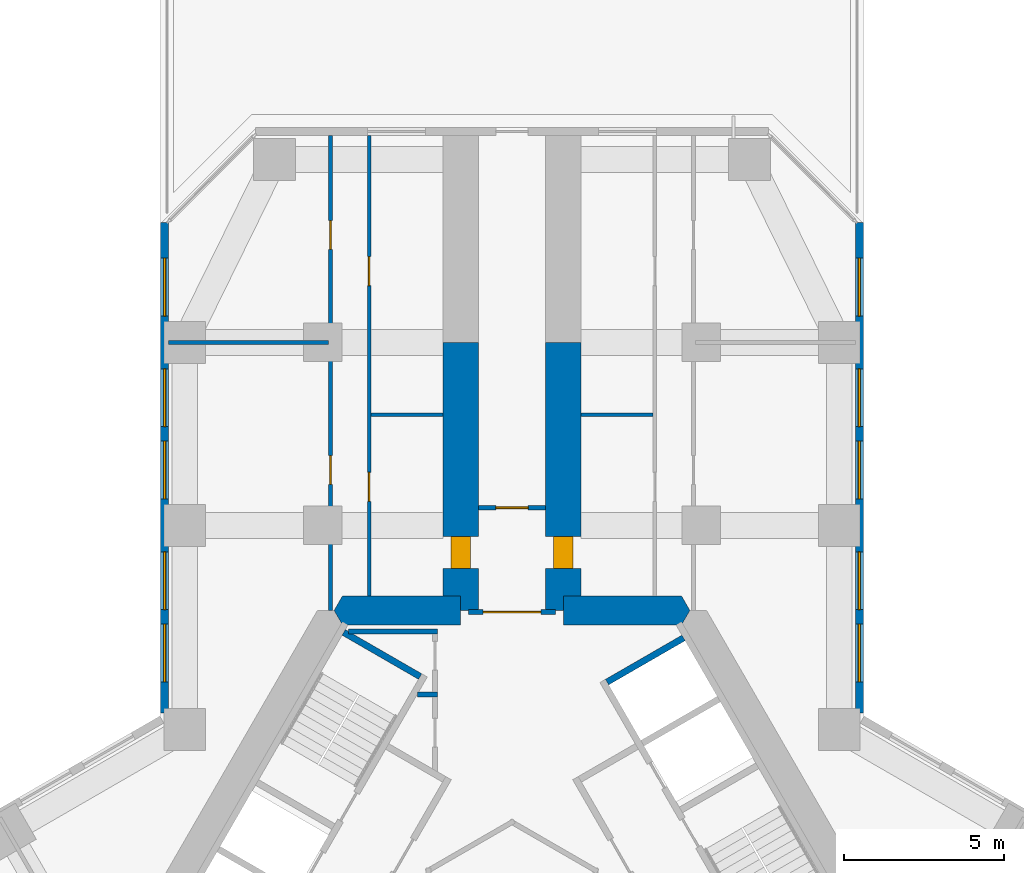
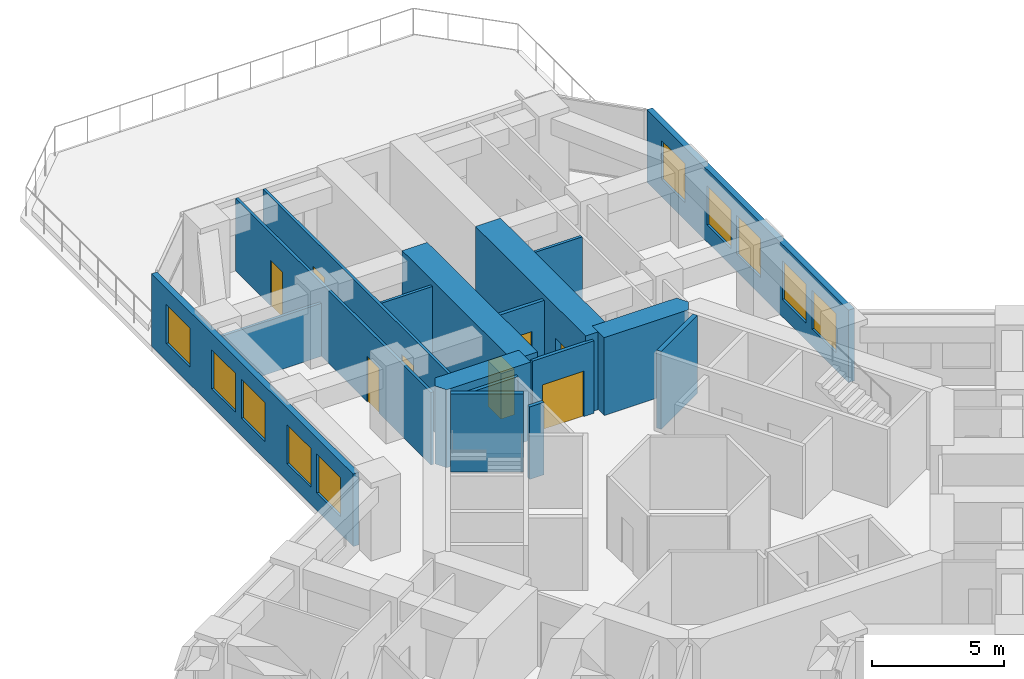
# One storey, part 17 of 19: 17 walls, 10 windows, 8 doors, 18 openings.
"""IFC4 building model written with IfcOpenShell, lengths in metres."""

from ifc_helpers import new_model, si_unit, direction, frame, frame_2d, origin, place, context, subcontext, project, spatial, polyline, rectangle, outline, extrude, material, layer, layer_set, type_object, element, fill, save


model = new_model("IFC4")

# Units and contexts
model_context = context("Model", 3, precision=1e-05, world=origin(), true_north=direction((0.0, 1.0)))
body_context = subcontext(model_context, "Body", "Model", "MODEL_VIEW")
ifc_project = project(units=[si_unit("LENGTHUNIT", "METRE"), si_unit("AREAUNIT", "SQUARE_METRE"), si_unit("VOLUMEUNIT", "CUBIC_METRE"), si_unit("PLANEANGLEUNIT", "RADIAN"), si_unit("MASSUNIT", "GRAM", prefix="KILO")], contexts=[model_context])

# Site, building, storey
site_placement = place(None, origin())
site = spatial("IfcSite", under=ifc_project, at=site_placement, CompositionType="ELEMENT")
building_placement = place(site_placement, origin())
building = spatial("IfcBuilding", under=site, at=building_placement, Name="Kosmar Iwan School Tower", CompositionType="ELEMENT")
storey_placement = place(building_placement, frame((0.0, 0.0, 120.199951171875)))
storey = spatial("IfcBuildingStorey", under=building, at=storey_placement, Name="L29", CompositionType="ELEMENT", Elevation=120.199951171875)

# Walls
ifc_material_1 = material(Name="Gypsum board on steel studs, fire-rated", Category="steel")
ifc_layer_1 = layer(ifc_material_1, 0.14990234375)
ifc_layer_set_1 = layer_set([ifc_layer_1], Name="Core room partition 150")
wall_type_1 = type_object("IfcWallType", Name="Core room partition 150", PredefinedType="PARTITIONING", material=ifc_layer_set_1)
wall_1_placement = place(storey_placement, frame((-2.324951171875, 6.985107421875, 0.0), z_axis=(0.0, 0.0, 1.0), x_axis=(-1.0, 0.0, 0.0)))
element("IfcWall", 1, at=wall_1_placement, inside=storey, type_object=wall_type_1, Name="Core room partition L29-CW2", PredefinedType="PARTITIONING", context=body_context, shape_type="SweptSolid", body=[
    extrude(rectangle(XDim=0.623779296875, YDim=0.14990234375, at=frame_2d((0.31201171875, 0.0))), origin(), (0.0, 0.0, 1.0), 3.35009765625),
])
wall_2_placement = place(storey_placement, frame((-5.089599609375, 8.93994140625, 0.0), z_axis=(0.0, 0.0, 1.0), x_axis=(1.0, 0.0, 0.0)))
element("IfcWall", 2, at=wall_2_placement, inside=storey, type_object=wall_type_1, Name="Core room partition L29-CW3", PredefinedType="PARTITIONING", context=body_context, shape_type="SweptSolid", body=[
    extrude(rectangle(XDim=2.7646484375, YDim=0.14990234375, at=frame_2d((1.38232421875, 0.0))), origin(), (0.0, 0.0, 1.0), 3.35009765625),
])
ifc_material_2 = material(Name="Concrete C50/60", Category="concrete")
ifc_layer_2 = layer(ifc_material_2, 0.89990234375)
ifc_layer_set_2 = layer_set([ifc_layer_2], Name="Core wall 900")
wall_type_2 = type_object("IfcWallType", Name="Core wall 900", PredefinedType="SHEAR", material=ifc_layer_set_2)
wall_3_placement = place(storey_placement, origin())
element("IfcWall", 3, at=wall_3_placement, inside=storey, type_object=wall_type_2, Name="Core wall F090a", PredefinedType="SHEAR", context=body_context, shape_type="SweptSolid", body=[
    extrude(outline(polyline([(1.60009765625, 9.14990234375), (5.28271484375, 9.14990234375), (5.54248046875, 9.60009765625), (5.28271484375, 10.050048828125), (1.60009765625, 10.050048828125), (1.60009765625, 9.14990234375)])), origin(), (0.0, 0.0, 1.0), 3.60009765625),
])
wall_4_placement = place(storey_placement, origin())
element("IfcWall", 4, at=wall_4_placement, inside=storey, type_object=wall_type_2, Name="Core wall F090b", PredefinedType="SHEAR", context=body_context, shape_type="SweptSolid", body=[
    extrude(outline(polyline([(-5.28271484375, 9.14990234375), (-1.60009765625, 9.14990234375), (-1.60009765625, 10.050048828125), (-5.28271484375, 10.050048828125), (-5.54248046875, 9.60009765625), (-5.28271484375, 9.14990234375)])), origin(), (0.0, 0.0, 1.0), 3.60009765625),
])

# Wall, opening, door
ifc_material_3 = material(Name="Concrete C50/60", Category="concrete")
ifc_layer_3 = layer(ifc_material_3, 1.10009765625)
ifc_layer_set_3 = layer_set([ifc_layer_3], Name="Corridor buttress wall 1100")
wall_type_3 = type_object("IfcWallType", Name="Corridor buttress wall 1100", PredefinedType="SHEAR", material=ifc_layer_set_3)
wall_5_placement = place(storey_placement, frame((-1.60009765625, 9.60009765625, 0.0), z_axis=(0.0, 0.0, 1.0), x_axis=(0.0, 1.0, 0.0)))
wall_5 = element("IfcWall", 5, at=wall_5_placement, inside=storey, type_object=wall_type_3, Name="Corridor wall AL", PredefinedType="SHEAR", context=body_context, shape_type="SweptSolid", body=[
    extrude(rectangle(XDim=8.349853515625, YDim=1.10009765625, at=frame_2d((4.1748046875, 0.0))), origin(), (0.0, 0.0, 1.0), 3.60009765625),
])
opening_1_placement = place(wall_5_placement, frame((1.300048828125, 0.0, 0.0)))
opening_1 = element("IfcOpeningElement", 6, at=opening_1_placement, cuts=wall_5, Name="Opening D1", PredefinedType="OPENING", context=body_context, shape_type="SweptSolid", body=[
    extrude(rectangle(XDim=1.0, YDim=2.10009765625, at=frame_2d((0.5, 1.050048828125))), frame((0.0, 0.56201171875, 0.0), z_axis=(0.0, -1.0, 0.0), x_axis=(1.0, 0.0, 0.0)), (0.0, 0.0, 1.0), 1.1240234375),
])
ifc_material_4 = material(Name="Timber fire door in steel frame", Category="steel")
door_type_1 = type_object("IfcDoorType", Name="Flat entrance door 1000x2100", OperationType="SINGLE_SWING_LEFT", PredefinedType="DOOR", material=ifc_material_4)
door_1_placement = place(opening_1_placement, origin())
door_1 = element("IfcDoor", 7, at=door_1_placement, inside=storey, type_object=door_type_1, Name="Flat L29-AL1 entrance door", OperationType="SINGLE_SWING_LEFT", OverallHeight=2.10009765625, OverallWidth=1.0, PredefinedType="DOOR", context=body_context, shape_type="SweptSolid", body=[
    extrude(rectangle(XDim=1.0, YDim=2.10009765625, at=frame_2d((0.5, 1.050048828125))), frame((0.0, 0.300048828125, 0.0), z_axis=(0.0, -1.0, 0.0), x_axis=(1.0, 0.0, 0.0)), (0.0, 0.0, 1.0), 0.60009765625),
])
fill(opening_1, door_1)

wall_6_placement = place(storey_placement, frame((1.60009765625, 9.60009765625, 0.0), z_axis=(0.0, 0.0, 1.0), x_axis=(0.0, 1.0, 0.0)))
wall_6 = element("IfcWall", 8, at=wall_6_placement, inside=storey, type_object=wall_type_3, Name="Corridor wall AR", PredefinedType="SHEAR", context=body_context, shape_type="SweptSolid", body=[
    extrude(rectangle(XDim=8.349853515625, YDim=1.10009765625, at=frame_2d((4.1748046875, 0.0))), origin(), (0.0, 0.0, 1.0), 3.60009765625),
])
opening_2_placement = place(wall_6_placement, frame((1.300048828125, 0.0, 0.0)))
opening_2 = element("IfcOpeningElement", 9, at=opening_2_placement, cuts=wall_6, Name="Opening D1", PredefinedType="OPENING", context=body_context, shape_type="SweptSolid", body=[
    extrude(rectangle(XDim=1.0, YDim=2.10009765625, at=frame_2d((0.5, 1.050048828125))), frame((0.0, 0.56201171875, 0.0), z_axis=(0.0, -1.0, 0.0), x_axis=(1.0, 0.0, 0.0)), (0.0, 0.0, 1.0), 1.1240234375),
])
door_2_placement = place(opening_2_placement, origin())
door_2 = element("IfcDoor", 10, at=door_2_placement, inside=storey, type_object=door_type_1, Name="Flat L29-AR1 entrance door", OperationType="SINGLE_SWING_RIGHT", OverallHeight=2.10009765625, OverallWidth=1.0, PredefinedType="DOOR", context=body_context, shape_type="SweptSolid", body=[
    extrude(rectangle(XDim=1.0, YDim=2.10009765625, at=frame_2d((0.5, 1.050048828125))), frame((0.0, 0.300048828125, 0.0), z_axis=(0.0, -1.0, 0.0), x_axis=(1.0, 0.0, 0.0)), (0.0, 0.0, 1.0), 0.60009765625),
])
fill(opening_2, door_2)

ifc_material_5 = material(Name="Gypsum board on steel studs, fire-rated", Category="steel")
ifc_layer_4 = layer(ifc_material_5, 0.14990234375)
ifc_layer_set_4 = layer_set([ifc_layer_4], Name="Corridor end wall 150")
wall_type_4 = type_object("IfcWallType", Name="Corridor end wall 150", PredefinedType="PARTITIONING", material=ifc_layer_set_4)
wall_7_placement = place(storey_placement, frame((1.050048828125, 12.800048828125, 0.0), z_axis=(0.0, 0.0, 1.0), x_axis=(-1.0, 0.0, 0.0)))
wall_7 = element("IfcWall", 11, at=wall_7_placement, inside=storey, type_object=wall_type_4, Name="Partition L29-A-CE", PredefinedType="PARTITIONING", context=body_context, shape_type="SweptSolid", body=[
    extrude(rectangle(XDim=2.10009765625, YDim=0.14990234375, at=frame_2d((1.050048828125, 0.0))), origin(), (0.0, 0.0, 1.0), 3.35009765625),
])
opening_3_placement = place(wall_7_placement, frame((0.550048828125, 0.0, 0.0)))
opening_3 = element("IfcOpeningElement", 12, at=opening_3_placement, cuts=wall_7, Name="Opening D13", PredefinedType="OPENING", context=body_context, shape_type="SweptSolid", body=[
    extrude(rectangle(XDim=1.0, YDim=2.10009765625, at=frame_2d((0.5, 1.050048828125))), frame((0.0, 0.0869140625, 0.0), z_axis=(0.0, -1.0, 0.0), x_axis=(1.0, 0.0, 0.0)), (0.0, 0.0, 1.0), 0.173828125),
])
ifc_material_6 = material(Name="Timber fire door with vision panel", Category="wood")
door_type_2 = type_object("IfcDoorType", Name="Corridor end door 1000x2100", OperationType="SINGLE_SWING_LEFT", PredefinedType="DOOR", material=ifc_material_6)
door_3_placement = place(opening_3_placement, origin())
door_3 = element("IfcDoor", 13, at=door_3_placement, inside=storey, type_object=door_type_2, Name="Roof plant room door L29-A", OperationType="SINGLE_SWING_LEFT", OverallHeight=2.10009765625, OverallWidth=1.0, PredefinedType="DOOR", context=body_context, shape_type="SweptSolid", body=[
    extrude(rectangle(XDim=1.0, YDim=2.10009765625, at=frame_2d((0.5, 1.050048828125))), frame((0.0, 0.02490234375, 0.0), z_axis=(0.0, -1.0, 0.0), x_axis=(1.0, 0.0, 0.0)), (0.0, 0.0, 1.0), 0.050048828125),
])
fill(opening_3, door_3)

ifc_material_7 = material(Name="Steel framed glazed screen", Category="steel")
ifc_layer_5 = layer(ifc_material_7, 0.14990234375)
ifc_layer_set_5 = layer_set([ifc_layer_5], Name="Corridor screen wall 150")
wall_type_5 = type_object("IfcWallType", Name="Corridor screen wall 150", PredefinedType="PARTITIONING", material=ifc_layer_set_5)
wall_8_placement = place(storey_placement, frame((1.35009765625, 9.550048828125, 0.0), z_axis=(0.0, 0.0, 1.0), x_axis=(-1.0, 0.0, 0.0)))
wall_8 = element("IfcWall", 14, at=wall_8_placement, inside=storey, type_object=wall_type_5, Name="Corridor screen A L29", PredefinedType="PARTITIONING", context=body_context, shape_type="SweptSolid", body=[
    extrude(rectangle(XDim=2.7001953125, YDim=0.14990234375, at=frame_2d((1.35009765625, 0.0))), origin(), (0.0, 0.0, 1.0), 3.35009765625),
])
opening_4_placement = place(wall_8_placement, frame((0.449951171875, 0.0, 0.0)))
opening_4 = element("IfcOpeningElement", 15, at=opening_4_placement, cuts=wall_8, Name="Opening D9", PredefinedType="OPENING", context=body_context, shape_type="SweptSolid", body=[
    extrude(rectangle(XDim=1.800048828125, YDim=2.10009765625, at=frame_2d((0.89990234375, 1.050048828125))), frame((0.0, 0.0869140625, 0.0), z_axis=(0.0, -1.0, 0.0), x_axis=(1.0, 0.0, 0.0)), (0.0, 0.0, 1.0), 0.173828125),
])
ifc_material_8 = material(Name="Steel framed glazed smoke door", Category="steel")
door_type_3 = type_object("IfcDoorType", Name="Corridor smoke door pair 1800x2100", OperationType="DOUBLE_DOOR_DOUBLE_SWING", PredefinedType="DOOR", material=ifc_material_8)
door_4_placement = place(opening_4_placement, origin())
door_4 = element("IfcDoor", 16, at=door_4_placement, inside=storey, type_object=door_type_3, Name="Corridor doors A L29", OperationType="DOUBLE_DOOR_DOUBLE_SWING", OverallHeight=2.10009765625, OverallWidth=1.800048828125, PredefinedType="DOOR", context=body_context, shape_type="SweptSolid", body=[
    extrude(rectangle(XDim=1.800048828125, YDim=2.10009765625, at=frame_2d((0.89990234375, 1.050048828125))), frame((0.0, 0.02490234375, 0.0), z_axis=(0.0, -1.0, 0.0), x_axis=(1.0, 0.0, 0.0)), (0.0, 0.0, 1.0), 0.050048828125),
])
fill(opening_4, door_4)

# Wall, openings, doors
ifc_material_9 = material(Name="Gypsum board on steel studs", Category="steel")
ifc_layer_6 = layer(ifc_material_9, 0.1201171875)
ifc_layer_set_6 = layer_set([ifc_layer_6], Name="Dwelling partition 120")
wall_type_6 = type_object("IfcWallType", Name="Dwelling partition 120", PredefinedType="PARTITIONING", material=ifc_layer_set_6)
wall_9_placement = place(storey_placement, frame((-4.449951171875, 10.050048828125, 0.0), z_axis=(0.0, 0.0, 1.0), x_axis=(0.0, 1.0, 0.0)))
wall_9 = element("IfcWall", 17, at=wall_9_placement, inside=storey, type_object=wall_type_6, Name="Partition L29-AL1-W1", PredefinedType="PARTITIONING", context=body_context, shape_type="SweptSolid", body=[
    extrude(rectangle(XDim=14.349853515625, YDim=0.1201171875, at=frame_2d((7.1748046875, 0.0))), origin(), (0.0, 0.0, 1.0), 3.35009765625),
])
opening_5_placement = place(wall_9_placement, frame((2.949951171875, 0.0, 0.0)))
opening_5 = element("IfcOpeningElement", 18, at=opening_5_placement, cuts=wall_9, Name="Opening D2", PredefinedType="OPENING", context=body_context, shape_type="SweptSolid", body=[
    extrude(rectangle(XDim=0.89990234375, YDim=2.10009765625, at=frame_2d((0.449951171875, 1.050048828125))), frame((0.0, 0.072021484375, 0.0), z_axis=(0.0, -1.0, 0.0), x_axis=(1.0, 0.0, 0.0)), (0.0, 0.0, 1.0), 0.14404296875),
])
opening_6_placement = place(wall_9_placement, frame((9.675048828125, 0.0, 0.0)))
opening_6 = element("IfcOpeningElement", 19, at=opening_6_placement, cuts=wall_9, Name="Opening D2", PredefinedType="OPENING", context=body_context, shape_type="SweptSolid", body=[
    extrude(rectangle(XDim=0.89990234375, YDim=2.10009765625, at=frame_2d((0.449951171875, 1.050048828125))), frame((0.0, 0.072021484375, 0.0), z_axis=(0.0, -1.0, 0.0), x_axis=(1.0, 0.0, 0.0)), (0.0, 0.0, 1.0), 0.14404296875),
])
ifc_material_10 = material(Name="Timber door in timber frame", Category="wood")
door_type_4 = type_object("IfcDoorType", Name="Internal door 900x2100", OperationType="SINGLE_SWING_LEFT", PredefinedType="DOOR", material=ifc_material_10)
door_5_placement = place(opening_5_placement, origin())
door_5 = element("IfcDoor", 20, at=door_5_placement, inside=storey, type_object=door_type_4, Name="Lounge kitchen door L29-AL1-S1", OperationType="SINGLE_SWING_LEFT", OverallHeight=2.10009765625, OverallWidth=0.89990234375, PredefinedType="DOOR", context=body_context, shape_type="SweptSolid", body=[
    extrude(rectangle(XDim=0.89990234375, YDim=2.10009765625, at=frame_2d((0.449951171875, 1.050048828125))), frame((0.0, 0.02490234375, 0.0), z_axis=(0.0, -1.0, 0.0), x_axis=(1.0, 0.0, 0.0)), (0.0, 0.0, 1.0), 0.050048828125),
])
fill(opening_5, door_5)
door_6_placement = place(opening_6_placement, origin())
door_6 = element("IfcDoor", 21, at=door_6_placement, inside=storey, type_object=door_type_4, Name="Accessible toilet door L29-AL1-S2", OperationType="SINGLE_SWING_RIGHT", OverallHeight=2.10009765625, OverallWidth=0.89990234375, PredefinedType="DOOR", context=body_context, shape_type="SweptSolid", body=[
    extrude(rectangle(XDim=0.89990234375, YDim=2.10009765625, at=frame_2d((0.449951171875, 1.050048828125))), frame((0.0, 0.02490234375, 0.0), z_axis=(0.0, -1.0, 0.0), x_axis=(1.0, 0.0, 0.0)), (0.0, 0.0, 1.0), 0.050048828125),
])
fill(opening_6, door_6)

wall_10_placement = place(storey_placement, frame((-5.64990234375, 9.60009765625, 0.0), z_axis=(0.0, 0.0, 1.0), x_axis=(0.0, 1.0, 0.0)))
wall_10 = element("IfcWall", 22, at=wall_10_placement, inside=storey, type_object=wall_type_6, Name="Partition L29-AL1-W2", PredefinedType="PARTITIONING", context=body_context, shape_type="SweptSolid", body=[
    extrude(rectangle(XDim=14.7998046875, YDim=0.1201171875, at=frame_2d((7.39990234375, 0.0))), origin(), (0.0, 0.0, 1.0), 3.35009765625),
])
opening_7_placement = place(wall_10_placement, frame((3.925048828125, 0.0, 0.0)))
opening_7 = element("IfcOpeningElement", 23, at=opening_7_placement, cuts=wall_10, Name="Opening D2", PredefinedType="OPENING", context=body_context, shape_type="SweptSolid", body=[
    extrude(rectangle(XDim=0.89990234375, YDim=2.10009765625, at=frame_2d((0.449951171875, 1.050048828125))), frame((0.0, 0.072021484375, 0.0), z_axis=(0.0, -1.0, 0.0), x_axis=(1.0, 0.0, 0.0)), (0.0, 0.0, 1.0), 0.14404296875),
])
opening_8_placement = place(wall_10_placement, frame((11.25, 0.0, 0.0)))
opening_8 = element("IfcOpeningElement", 24, at=opening_8_placement, cuts=wall_10, Name="Opening D2", PredefinedType="OPENING", context=body_context, shape_type="SweptSolid", body=[
    extrude(rectangle(XDim=0.89990234375, YDim=2.10009765625, at=frame_2d((0.449951171875, 1.050048828125))), frame((0.0, 0.072021484375, 0.0), z_axis=(0.0, -1.0, 0.0), x_axis=(1.0, 0.0, 0.0)), (0.0, 0.0, 1.0), 0.14404296875),
])
door_7_placement = place(opening_7_placement, origin())
door_7 = element("IfcDoor", 25, at=door_7_placement, inside=storey, type_object=door_type_4, Name="Residents' lounge door L29-AL1-F1", OperationType="SINGLE_SWING_RIGHT", OverallHeight=2.10009765625, OverallWidth=0.89990234375, PredefinedType="DOOR", context=body_context, shape_type="SweptSolid", body=[
    extrude(rectangle(XDim=0.89990234375, YDim=2.10009765625, at=frame_2d((0.449951171875, 1.050048828125))), frame((0.0, 0.02490234375, 0.0), z_axis=(0.0, -1.0, 0.0), x_axis=(1.0, 0.0, 0.0)), (0.0, 0.0, 1.0), 0.050048828125),
])
fill(opening_7, door_7)
door_8_placement = place(opening_8_placement, origin())
door_8 = element("IfcDoor", 26, at=door_8_placement, inside=storey, type_object=door_type_4, Name="Children's play room door L29-AL1-F2", OperationType="SINGLE_SWING_RIGHT", OverallHeight=2.10009765625, OverallWidth=0.89990234375, PredefinedType="DOOR", context=body_context, shape_type="SweptSolid", body=[
    extrude(rectangle(XDim=0.89990234375, YDim=2.10009765625, at=frame_2d((0.449951171875, 1.050048828125))), frame((0.0, 0.02490234375, 0.0), z_axis=(0.0, -1.0, 0.0), x_axis=(1.0, 0.0, 0.0)), (0.0, 0.0, 1.0), 0.050048828125),
])
fill(opening_8, door_8)

# Walls
wall_11_placement = place(storey_placement, frame((-5.7099609375, 17.949951171875, 0.0), z_axis=(0.0, 0.0, 1.0), x_axis=(-1.0, 0.0, 0.0)))
element("IfcWall", 27, at=wall_11_placement, inside=storey, type_object=wall_type_6, Name="Partition L29-AL1-X1", PredefinedType="PARTITIONING", context=body_context, shape_type="SweptSolid", body=[
    extrude(rectangle(XDim=4.989990234375, YDim=0.1201171875, at=frame_2d((2.4951171875, 0.0))), origin(), (0.0, 0.0, 1.0), 2.449951171875),
])
for number, where, z_axis, x_axis, name in (
    (28, (-2.14990234375, 15.699951171875, 0.0), (0.0, 0.0, 1.0), (-1.0, 0.0, 0.0), "Partition L29-AL1-Y1"),
    (29, (2.14990234375, 15.699951171875, 0.0), (0.0, 0.0, 1.0), (1.0, 0.0, 0.0), "Partition L29-AR1-Y1"),
):
    element("IfcWall", number, at=place(storey_placement, frame(where, z_axis=z_axis, x_axis=x_axis)), inside=storey, type_object=wall_type_6, Name=name, PredefinedType="PARTITIONING", context=body_context, shape_type="SweptSolid", body=[
        extrude(rectangle(XDim=2.239990234375, YDim=0.1201171875, at=frame_2d((1.1201171875, 0.0))), origin(), (0.0, 0.0, 1.0), 3.35009765625),
    ])

# Wall, openings, windows
ifc_material_11 = material(Name="Black aluminium rainscreen on insulated framing", Category="aluminium")
ifc_layer_7 = layer(ifc_material_11, 0.25)
ifc_layer_set_7 = layer_set([ifc_layer_7], Name="External wall rainscreen 250")
wall_type_7 = type_object("IfcWallType", Name="External wall rainscreen 250", PredefinedType="SOLIDWALL", material=ifc_layer_set_7)
wall_12_placement = place(storey_placement, frame((10.824951171875, 6.408935546875, 0.0), z_axis=(0.0, 0.0, 1.0), x_axis=(0.0, 1.0, 0.0)))
wall_12 = element("IfcWall", 30, at=wall_12_placement, inside=storey, type_object=wall_type_7, Name="External wall AR L29", PredefinedType="SOLIDWALL", context=body_context, shape_type="SweptSolid", body=[
    extrude(rectangle(XDim=15.2763671875, YDim=0.25, at=frame_2d((7.63818359375, 0.0))), origin(), (0.0, 0.0, 1.0), 3.35009765625),
])
opening_9_placement = place(wall_12_placement, frame((0.966064453125, 0.0, 0.800048828125)))
opening_9 = element("IfcOpeningElement", 31, at=opening_9_placement, cuts=wall_12, Name="Opening W1", PredefinedType="OPENING", context=body_context, shape_type="SweptSolid", body=[
    extrude(rectangle(XDim=1.800048828125, YDim=1.800048828125, at=frame_2d((0.89990234375, 0.89990234375))), frame((0.0, 0.136962890625, 0.0), z_axis=(0.0, -1.0, 0.0), x_axis=(1.0, 0.0, 0.0)), (0.0, 0.0, 1.0), 0.27392578125),
])
opening_10_placement = place(wall_12_placement, frame((3.216064453125, 0.0, 0.800048828125)))
opening_10 = element("IfcOpeningElement", 32, at=opening_10_placement, cuts=wall_12, Name="Opening W1", PredefinedType="OPENING", context=body_context, shape_type="SweptSolid", body=[
    extrude(rectangle(XDim=1.800048828125, YDim=1.800048828125, at=frame_2d((0.89990234375, 0.89990234375))), frame((0.0, 0.136962890625, 0.0), z_axis=(0.0, -1.0, 0.0), x_axis=(1.0, 0.0, 0.0)), (0.0, 0.0, 1.0), 0.27392578125),
])
opening_11_placement = place(wall_12_placement, frame((6.666015625, 0.0, 0.800048828125)))
opening_11 = element("IfcOpeningElement", 33, at=opening_11_placement, cuts=wall_12, Name="Opening W1", PredefinedType="OPENING", context=body_context, shape_type="SweptSolid", body=[
    extrude(rectangle(XDim=1.800048828125, YDim=1.800048828125, at=frame_2d((0.89990234375, 0.89990234375))), frame((0.0, 0.136962890625, 0.0), z_axis=(0.0, -1.0, 0.0), x_axis=(1.0, 0.0, 0.0)), (0.0, 0.0, 1.0), 0.27392578125),
])
opening_12_placement = place(wall_12_placement, frame((8.916015625, 0.0, 0.800048828125)))
opening_12 = element("IfcOpeningElement", 34, at=opening_12_placement, cuts=wall_12, Name="Opening W1", PredefinedType="OPENING", context=body_context, shape_type="SweptSolid", body=[
    extrude(rectangle(XDim=1.800048828125, YDim=1.800048828125, at=frame_2d((0.89990234375, 0.89990234375))), frame((0.0, 0.136962890625, 0.0), z_axis=(0.0, -1.0, 0.0), x_axis=(1.0, 0.0, 0.0)), (0.0, 0.0, 1.0), 0.27392578125),
])
opening_13_placement = place(wall_12_placement, frame((12.365966796875, 0.0, 0.800048828125)))
opening_13 = element("IfcOpeningElement", 35, at=opening_13_placement, cuts=wall_12, Name="Opening W1", PredefinedType="OPENING", context=body_context, shape_type="SweptSolid", body=[
    extrude(rectangle(XDim=1.800048828125, YDim=1.800048828125, at=frame_2d((0.89990234375, 0.89990234375))), frame((0.0, 0.136962890625, 0.0), z_axis=(0.0, -1.0, 0.0), x_axis=(1.0, 0.0, 0.0)), (0.0, 0.0, 1.0), 0.27392578125),
])
ifc_material_12 = material(Name="Black aluminium frame with dark triple glazing", Category="aluminium")
window_type = type_object("IfcWindowType", Name="Window 1800x1800", PartitioningType="SINGLE_PANEL", PredefinedType="WINDOW", material=ifc_material_12)
window_1_placement = place(opening_9_placement, origin())
window_1 = element("IfcWindow", 36, at=window_1_placement, inside=storey, type_object=window_type, Name="Window AR L29 -1", OverallHeight=1.800048828125, OverallWidth=1.800048828125, PartitioningType="SINGLE_PANEL", PredefinedType="WINDOW", context=body_context, shape_type="SweptSolid", body=[
    extrude(rectangle(XDim=1.800048828125, YDim=1.800048828125, at=frame_2d((0.89990234375, 0.89990234375))), frame((0.0, 0.030029296875, 0.0), z_axis=(0.0, -1.0, 0.0), x_axis=(1.0, 0.0, 0.0)), (0.0, 0.0, 1.0), 0.06005859375),
])
fill(opening_9, window_1)
window_2_placement = place(opening_10_placement, origin())
window_2 = element("IfcWindow", 37, at=window_2_placement, inside=storey, type_object=window_type, Name="Window AR L29 0", OverallHeight=1.800048828125, OverallWidth=1.800048828125, PartitioningType="SINGLE_PANEL", PredefinedType="WINDOW", context=body_context, shape_type="SweptSolid", body=[
    extrude(rectangle(XDim=1.800048828125, YDim=1.800048828125, at=frame_2d((0.89990234375, 0.89990234375))), frame((0.0, 0.030029296875, 0.0), z_axis=(0.0, -1.0, 0.0), x_axis=(1.0, 0.0, 0.0)), (0.0, 0.0, 1.0), 0.06005859375),
])
fill(opening_10, window_2)
window_3_placement = place(opening_11_placement, origin())
window_3 = element("IfcWindow", 38, at=window_3_placement, inside=storey, type_object=window_type, Name="Window AR L29 1", OverallHeight=1.800048828125, OverallWidth=1.800048828125, PartitioningType="SINGLE_PANEL", PredefinedType="WINDOW", context=body_context, shape_type="SweptSolid", body=[
    extrude(rectangle(XDim=1.800048828125, YDim=1.800048828125, at=frame_2d((0.89990234375, 0.89990234375))), frame((0.0, 0.030029296875, 0.0), z_axis=(0.0, -1.0, 0.0), x_axis=(1.0, 0.0, 0.0)), (0.0, 0.0, 1.0), 0.06005859375),
])
fill(opening_11, window_3)
window_4_placement = place(opening_12_placement, origin())
window_4 = element("IfcWindow", 39, at=window_4_placement, inside=storey, type_object=window_type, Name="Window AR L29 2", OverallHeight=1.800048828125, OverallWidth=1.800048828125, PartitioningType="SINGLE_PANEL", PredefinedType="WINDOW", context=body_context, shape_type="SweptSolid", body=[
    extrude(rectangle(XDim=1.800048828125, YDim=1.800048828125, at=frame_2d((0.89990234375, 0.89990234375))), frame((0.0, 0.030029296875, 0.0), z_axis=(0.0, -1.0, 0.0), x_axis=(1.0, 0.0, 0.0)), (0.0, 0.0, 1.0), 0.06005859375),
])
fill(opening_12, window_4)
window_5_placement = place(opening_13_placement, origin())
window_5 = element("IfcWindow", 40, at=window_5_placement, inside=storey, type_object=window_type, Name="Window AR L29 3", OverallHeight=1.800048828125, OverallWidth=1.800048828125, PartitioningType="SINGLE_PANEL", PredefinedType="WINDOW", context=body_context, shape_type="SweptSolid", body=[
    extrude(rectangle(XDim=1.800048828125, YDim=1.800048828125, at=frame_2d((0.89990234375, 0.89990234375))), frame((0.0, 0.030029296875, 0.0), z_axis=(0.0, -1.0, 0.0), x_axis=(1.0, 0.0, 0.0)), (0.0, 0.0, 1.0), 0.06005859375),
])
fill(opening_13, window_5)

wall_13_placement = place(storey_placement, frame((-10.824951171875, 6.408935546875, 0.0), z_axis=(0.0, 0.0, 1.0), x_axis=(0.0, 1.0, 0.0)))
wall_13 = element("IfcWall", 41, at=wall_13_placement, inside=storey, type_object=wall_type_7, Name="External wall AL L29", PredefinedType="SOLIDWALL", context=body_context, shape_type="SweptSolid", body=[
    extrude(rectangle(XDim=15.2763671875, YDim=0.25, at=frame_2d((7.63818359375, 0.0))), origin(), (0.0, 0.0, 1.0), 3.35009765625),
])
opening_14_placement = place(wall_13_placement, frame((0.966064453125, 0.0, 0.800048828125)))
opening_14 = element("IfcOpeningElement", 42, at=opening_14_placement, cuts=wall_13, Name="Opening W1", PredefinedType="OPENING", context=body_context, shape_type="SweptSolid", body=[
    extrude(rectangle(XDim=1.800048828125, YDim=1.800048828125, at=frame_2d((0.89990234375, 0.89990234375))), frame((0.0, 0.136962890625, 0.0), z_axis=(0.0, -1.0, 0.0), x_axis=(1.0, 0.0, 0.0)), (0.0, 0.0, 1.0), 0.27392578125),
])
opening_15_placement = place(wall_13_placement, frame((3.216064453125, 0.0, 0.800048828125)))
opening_15 = element("IfcOpeningElement", 43, at=opening_15_placement, cuts=wall_13, Name="Opening W1", PredefinedType="OPENING", context=body_context, shape_type="SweptSolid", body=[
    extrude(rectangle(XDim=1.800048828125, YDim=1.800048828125, at=frame_2d((0.89990234375, 0.89990234375))), frame((0.0, 0.136962890625, 0.0), z_axis=(0.0, -1.0, 0.0), x_axis=(1.0, 0.0, 0.0)), (0.0, 0.0, 1.0), 0.27392578125),
])
opening_16_placement = place(wall_13_placement, frame((6.666015625, 0.0, 0.800048828125)))
opening_16 = element("IfcOpeningElement", 44, at=opening_16_placement, cuts=wall_13, Name="Opening W1", PredefinedType="OPENING", context=body_context, shape_type="SweptSolid", body=[
    extrude(rectangle(XDim=1.800048828125, YDim=1.800048828125, at=frame_2d((0.89990234375, 0.89990234375))), frame((0.0, 0.136962890625, 0.0), z_axis=(0.0, -1.0, 0.0), x_axis=(1.0, 0.0, 0.0)), (0.0, 0.0, 1.0), 0.27392578125),
])
opening_17_placement = place(wall_13_placement, frame((8.916015625, 0.0, 0.800048828125)))
opening_17 = element("IfcOpeningElement", 45, at=opening_17_placement, cuts=wall_13, Name="Opening W1", PredefinedType="OPENING", context=body_context, shape_type="SweptSolid", body=[
    extrude(rectangle(XDim=1.800048828125, YDim=1.800048828125, at=frame_2d((0.89990234375, 0.89990234375))), frame((0.0, 0.136962890625, 0.0), z_axis=(0.0, -1.0, 0.0), x_axis=(1.0, 0.0, 0.0)), (0.0, 0.0, 1.0), 0.27392578125),
])
opening_18_placement = place(wall_13_placement, frame((12.365966796875, 0.0, 0.800048828125)))
opening_18 = element("IfcOpeningElement", 46, at=opening_18_placement, cuts=wall_13, Name="Opening W1", PredefinedType="OPENING", context=body_context, shape_type="SweptSolid", body=[
    extrude(rectangle(XDim=1.800048828125, YDim=1.800048828125, at=frame_2d((0.89990234375, 0.89990234375))), frame((0.0, 0.136962890625, 0.0), z_axis=(0.0, -1.0, 0.0), x_axis=(1.0, 0.0, 0.0)), (0.0, 0.0, 1.0), 0.27392578125),
])
window_6_placement = place(opening_14_placement, origin())
window_6 = element("IfcWindow", 47, at=window_6_placement, inside=storey, type_object=window_type, Name="Window AL L29 -1", OverallHeight=1.800048828125, OverallWidth=1.800048828125, PartitioningType="SINGLE_PANEL", PredefinedType="WINDOW", context=body_context, shape_type="SweptSolid", body=[
    extrude(rectangle(XDim=1.800048828125, YDim=1.800048828125, at=frame_2d((0.89990234375, 0.89990234375))), frame((0.0, 0.030029296875, 0.0), z_axis=(0.0, -1.0, 0.0), x_axis=(1.0, 0.0, 0.0)), (0.0, 0.0, 1.0), 0.06005859375),
])
fill(opening_14, window_6)
window_7_placement = place(opening_15_placement, origin())
window_7 = element("IfcWindow", 48, at=window_7_placement, inside=storey, type_object=window_type, Name="Window AL L29 0", OverallHeight=1.800048828125, OverallWidth=1.800048828125, PartitioningType="SINGLE_PANEL", PredefinedType="WINDOW", context=body_context, shape_type="SweptSolid", body=[
    extrude(rectangle(XDim=1.800048828125, YDim=1.800048828125, at=frame_2d((0.89990234375, 0.89990234375))), frame((0.0, 0.030029296875, 0.0), z_axis=(0.0, -1.0, 0.0), x_axis=(1.0, 0.0, 0.0)), (0.0, 0.0, 1.0), 0.06005859375),
])
fill(opening_15, window_7)
window_8_placement = place(opening_16_placement, origin())
window_8 = element("IfcWindow", 49, at=window_8_placement, inside=storey, type_object=window_type, Name="Window AL L29 1", OverallHeight=1.800048828125, OverallWidth=1.800048828125, PartitioningType="SINGLE_PANEL", PredefinedType="WINDOW", context=body_context, shape_type="SweptSolid", body=[
    extrude(rectangle(XDim=1.800048828125, YDim=1.800048828125, at=frame_2d((0.89990234375, 0.89990234375))), frame((0.0, 0.030029296875, 0.0), z_axis=(0.0, -1.0, 0.0), x_axis=(1.0, 0.0, 0.0)), (0.0, 0.0, 1.0), 0.06005859375),
])
fill(opening_16, window_8)
window_9_placement = place(opening_17_placement, origin())
window_9 = element("IfcWindow", 50, at=window_9_placement, inside=storey, type_object=window_type, Name="Window AL L29 2", OverallHeight=1.800048828125, OverallWidth=1.800048828125, PartitioningType="SINGLE_PANEL", PredefinedType="WINDOW", context=body_context, shape_type="SweptSolid", body=[
    extrude(rectangle(XDim=1.800048828125, YDim=1.800048828125, at=frame_2d((0.89990234375, 0.89990234375))), frame((0.0, 0.030029296875, 0.0), z_axis=(0.0, -1.0, 0.0), x_axis=(1.0, 0.0, 0.0)), (0.0, 0.0, 1.0), 0.06005859375),
])
fill(opening_17, window_9)
window_10_placement = place(opening_18_placement, origin())
window_10 = element("IfcWindow", 51, at=window_10_placement, inside=storey, type_object=window_type, Name="Window AL L29 3", OverallHeight=1.800048828125, OverallWidth=1.800048828125, PartitioningType="SINGLE_PANEL", PredefinedType="WINDOW", context=body_context, shape_type="SweptSolid", body=[
    extrude(rectangle(XDim=1.800048828125, YDim=1.800048828125, at=frame_2d((0.89990234375, 0.89990234375))), frame((0.0, 0.030029296875, 0.0), z_axis=(0.0, -1.0, 0.0), x_axis=(1.0, 0.0, 0.0)), (0.0, 0.0, 1.0), 0.06005859375),
])
fill(opening_18, window_10)

# Walls
ifc_material_13 = material(Name="Concrete C50/60", Category="concrete")
ifc_layer_8 = layer(ifc_material_13, 0.199951171875)
ifc_layer_set_8 = layer_set([ifc_layer_8], Name="Lift shaft wall 200")
wall_type_8 = type_object("IfcWallType", Name="Lift shaft wall 200", PredefinedType="SHEAR", material=ifc_layer_set_8)
wall_14_placement = place(storey_placement, frame((2.962646484375, 7.368408203125, 0.0), z_axis=(0.0, 0.0, 1.0), x_axis=(0.866027397988, 0.499996545922, 0.0)))
element("IfcWall", 52, at=wall_14_placement, inside=storey, type_object=wall_type_8, Name="Lift shaft wall AC 2", PredefinedType="SHEAR", context=body_context, shape_type="SweptSolid", body=[
    extrude(rectangle(XDim=2.75, YDim=0.199951171875, at=frame_2d((1.375, 0.0))), origin(), (0.0, 0.0, 1.0), 3.60009765625),
])
ifc_material_14 = material(Name="Concrete C50/60", Category="concrete")
ifc_layer_9 = layer(ifc_material_14, 0.199951171875)
ifc_layer_set_9 = layer_set([ifc_layer_9], Name="Stair enclosure wall 200")
wall_type_9 = type_object("IfcWallType", Name="Stair enclosure wall 200", PredefinedType="SHEAR", material=ifc_layer_set_9)
wall_15_placement = place(storey_placement, frame((-2.862548828125, 7.541748046875, 0.0), z_axis=(0.0, 0.0, 1.0), x_axis=(-0.866027397988, 0.499996545922, 0.0)))
element("IfcWall", 53, at=wall_15_placement, inside=storey, type_object=wall_type_9, Name="Stair ST2 wall", PredefinedType="SHEAR", context=body_context, shape_type="SweptSolid", body=[
    extrude(rectangle(XDim=2.75, YDim=0.199951171875, at=frame_2d((1.375, 0.0))), origin(), (0.0, 0.0, 1.0), 3.60009765625),
])

save(model, "model.ifc")
